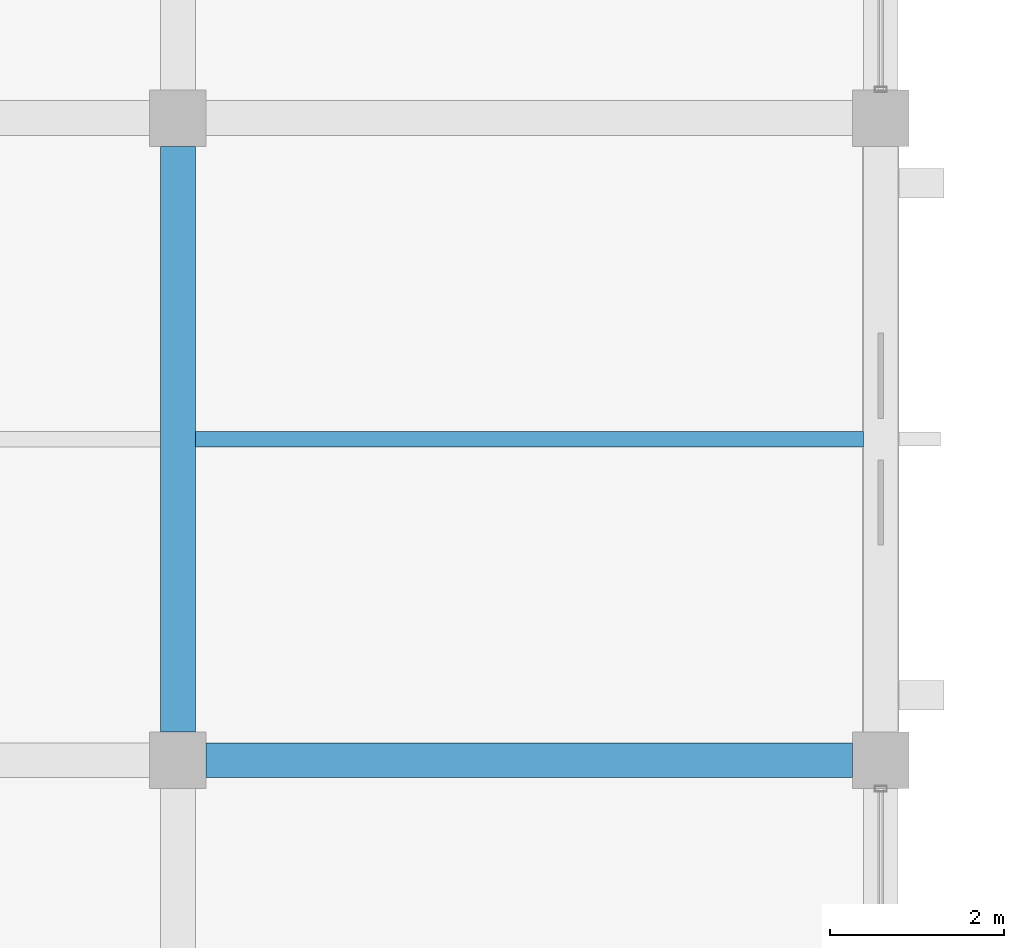
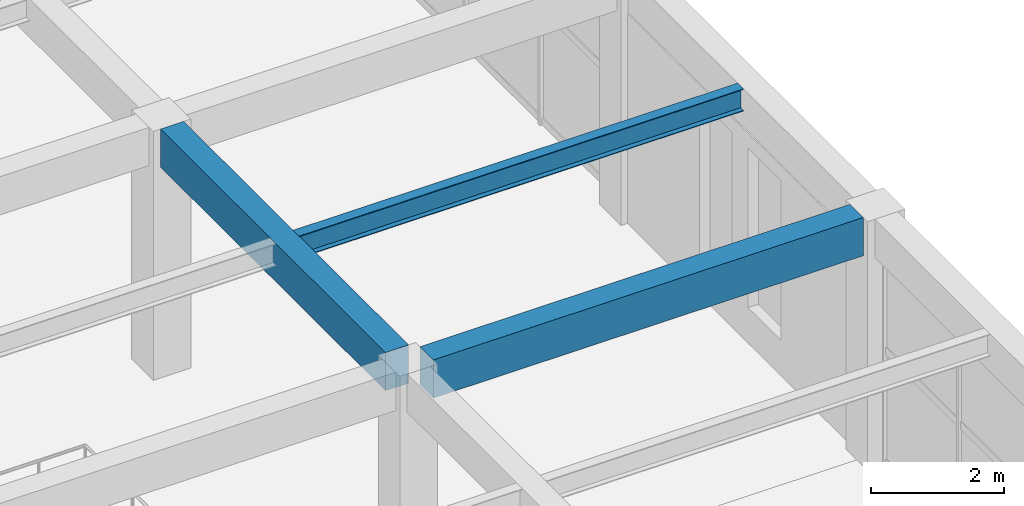
# One storey, part 93 of 161: 3 beams.
"""IFC4 building model written with IfcOpenShell, lengths in metres."""

from ifc_helpers import new_model, si_unit, direction, frame, origin, origin_2d, place, context, subcontext, project, spatial, rectangle, i_section, extrude, material, material_profile, profile_set, type_object, element, save


model = new_model("IFC4")

# Units and contexts
model_context = context("Model", 3, precision=1e-05, world=origin(), true_north=direction((0.0, 1.0)))
body_context = subcontext(model_context, "Body", "Model", "MODEL_VIEW")
ifc_project = project(units=[si_unit("LENGTHUNIT", "METRE"), si_unit("AREAUNIT", "SQUARE_METRE"), si_unit("VOLUMEUNIT", "CUBIC_METRE"), si_unit("PLANEANGLEUNIT", "RADIAN"), si_unit("MASSUNIT", "GRAM", prefix="KILO")], contexts=[model_context])

# Site, building, storey
site_placement = place(None, origin())
site = spatial("IfcSite", under=ifc_project, at=site_placement, CompositionType="ELEMENT")
building_placement = place(site_placement, origin())
building = spatial("IfcBuilding", under=site, at=building_placement, Name="Cimatlan Art Gallery", CompositionType="ELEMENT")
storey_placement = place(building_placement, frame((0.0, 0.0, 5.39990234375)))
storey = spatial("IfcBuildingStorey", under=building, at=storey_placement, Name="L01", CompositionType="ELEMENT", Elevation=5.39990234375)

# Beams
ifc_material_1 = material(Name="Concrete C40/50", Category="concrete")
ifc_material_profile_1 = material_profile(ifc_material_1, rectangle(XDim=0.39990234375, YDim=0.699951171875, at=origin_2d()), Name="RC400X700")
ifc_profile_set_1 = profile_set([ifc_material_profile_1], Name="Concrete C40/50")
beam_type_1 = type_object("IfcBeamType", Name="BM-RC-400X700", PredefinedType="BEAM", material=ifc_profile_set_1)
beam_1_placement = place(storey_placement, frame((123.5, 68.625, 4.210205078125), z_axis=(0.0, 1.0, 0.0), x_axis=(-1.0, 0.0, 0.0)))
element("IfcBeam", 1, at=beam_1_placement, inside=storey, type_object=beam_type_1, Name="BM-Y-L01-15-09", PredefinedType="BEAM", context=body_context, shape_type="SweptSolid", body=[
    extrude(rectangle(XDim=0.39990234375, YDim=0.699951171875, at=origin_2d()), origin(), (0.0, 0.0, 1.0), 6.75),
])
beam_2_placement = place(storey_placement, frame((123.824951171875, 68.300048828125, 4.210205078125), z_axis=(1.0, 0.0, 0.0), x_axis=(0.0, 1.0, 0.0)))
element("IfcBeam", 2, at=beam_2_placement, inside=storey, type_object=beam_type_1, Name="BM-X-L01-15-09", PredefinedType="BEAM", context=body_context, shape_type="SweptSolid", body=[
    extrude(rectangle(XDim=0.39990234375, YDim=0.699951171875, at=origin_2d()), origin(), (0.0, 0.0, 1.0), 7.449951171875),
])
ifc_material_2 = material(Name="Steel ASTM A992 Grade 50", Category="steel")
ifc_material_profile_2 = material_profile(ifc_material_2, i_section(OverallWidth=0.177978515625, OverallDepth=0.406982421875, WebThickness=0.0078125, FlangeThickness=0.0126953125, at=origin_2d()), Name="W16X40")
ifc_profile_set_2 = profile_set([ifc_material_profile_2], Name="Steel ASTM A992 Grade 50")
beam_type_2 = type_object("IfcBeamType", Name="BM-STL-W16X40", PredefinedType="JOIST", material=ifc_profile_set_2)
beam_3_placement = place(storey_placement, frame((123.699951171875, 72.0, 4.356689453125), z_axis=(1.0, 0.0, 0.0), x_axis=(0.0, 1.0, 0.0)))
element("IfcBeam", 3, at=beam_3_placement, inside=storey, type_object=beam_type_2, Name="JST-L01-15-09", PredefinedType="JOIST", context=body_context, shape_type="SweptSolid", body=[
    extrude(i_section(OverallWidth=0.177978515625, OverallDepth=0.406982421875, WebThickness=0.0078125, FlangeThickness=0.0126953125, at=origin_2d()), origin(), (0.0, 0.0, 1.0), 7.699951171875),
])

save(model, "model.ifc")
